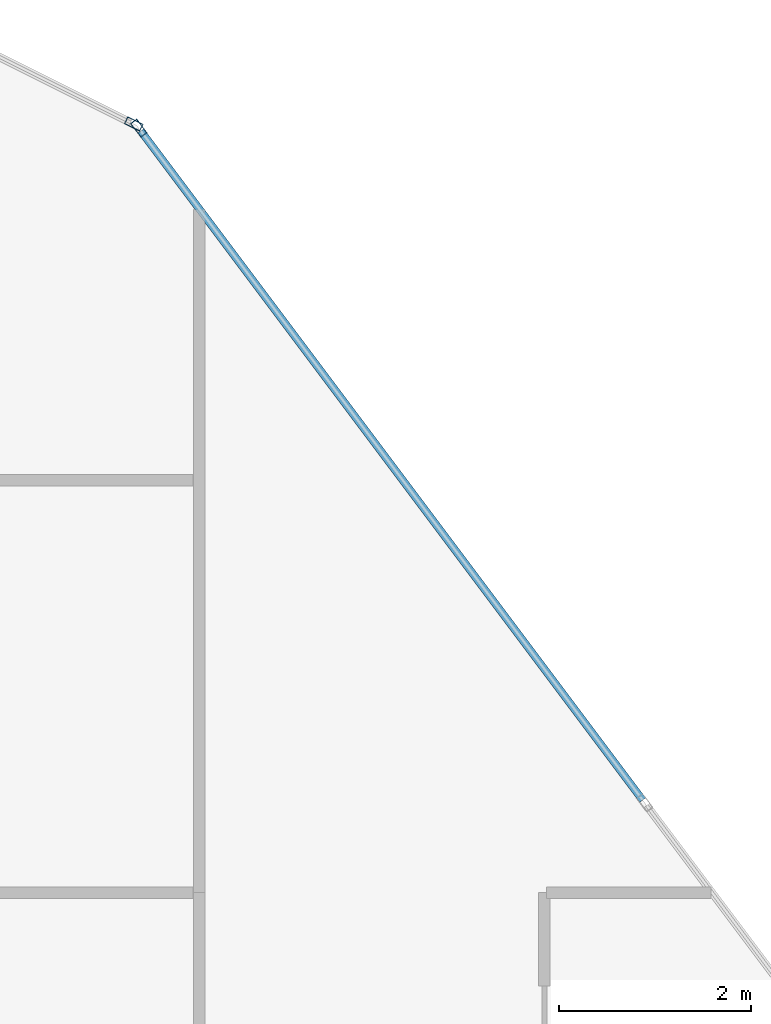
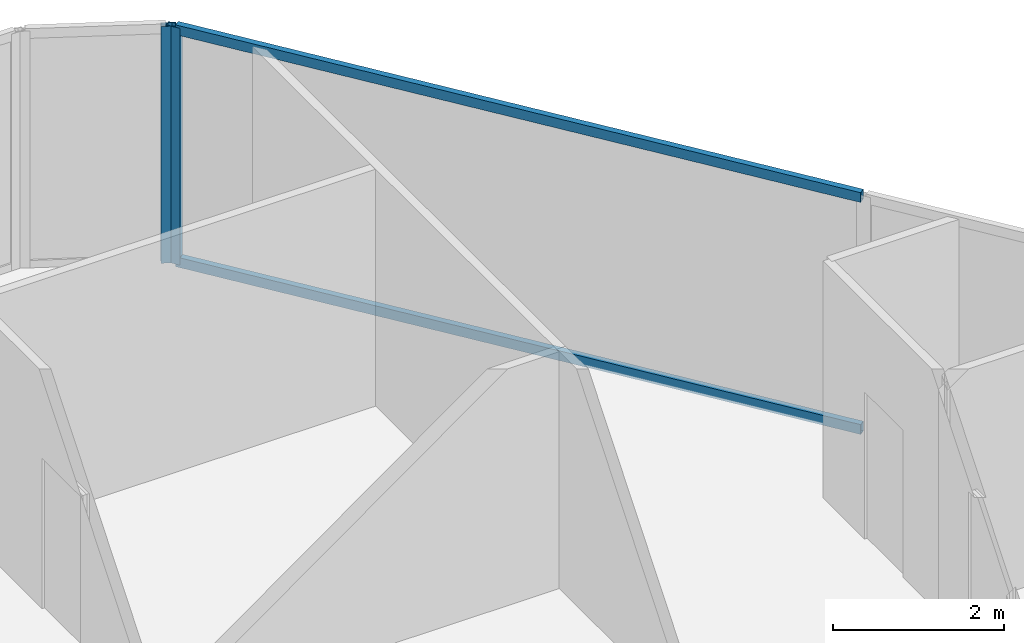
# One storey, part 21 of 30: 4 members, 2 elements without a shape of their own.
"""IFC4 building model written with IfcOpenShell, lengths in metres."""

from ifc_helpers import new_model, si_unit, direction, frame, origin, origin_2d, place, context, subcontext, project, spatial, hollow_rectangle, extrude, material, layer, layer_set, material_profile, profile_set, type_object, element, aggregate, save


model = new_model("IFC4")

# Units and contexts
model_context = context("Model", 3, precision=1e-05, world=origin(), true_north=direction((0.0, 1.0)))
body_context = subcontext(model_context, "Body", "Model", "MODEL_VIEW")
ifc_project = project(units=[si_unit("LENGTHUNIT", "METRE"), si_unit("AREAUNIT", "SQUARE_METRE"), si_unit("VOLUMEUNIT", "CUBIC_METRE"), si_unit("PLANEANGLEUNIT", "RADIAN"), si_unit("MASSUNIT", "GRAM", prefix="KILO")], contexts=[model_context])

# Site, building, storey
site_placement = place(None, origin())
site = spatial("IfcSite", under=ifc_project, at=site_placement, CompositionType="ELEMENT")
building_placement = place(site_placement, origin())
building = spatial("IfcBuilding", under=site, at=building_placement, Name="Keshet Zoharim Tower", CompositionType="ELEMENT")
storey_placement = place(building_placement, frame((0.0, 0.0, 113.10009765625)))
storey = spatial("IfcBuildingStorey", under=building, at=storey_placement, Name="L27", CompositionType="ELEMENT", Elevation=113.10009765625)

# Curtain wall, member
ifc_material = material(Name="Aluminium 6063-T6", Category="aluminium")
ifc_layer = layer(ifc_material, 0.159912109375)
ifc_layer_set = layer_set([ifc_layer], Name="Aluminium 6063-T6")
curtain_wall_type = type_object("IfcCurtainWallType", Name="CW-SYS-03", PredefinedType="NOTDEFINED", material=ifc_layer_set)
curtain_wall_1_placement = place(storey_placement, origin())
curtain_wall_1 = element("IfcCurtainWall", 1, at=curtain_wall_1_placement, inside=storey, type_object=curtain_wall_type, Name="L27 Unitised Curtain Wall 14", PredefinedType="NOTDEFINED")
ifc_material_profile_1 = material_profile(ifc_material, hollow_rectangle(XDim=0.080078125, YDim=0.179931640625, WallThickness=0.00439453125, at=origin_2d()), Name="MUL-80x180")
ifc_profile_set_1 = profile_set([ifc_material_profile_1], Name="Aluminium 6063-T6")
member_type_1 = type_object("IfcMemberType", Name="CWM-M18", PredefinedType="MULLION", material=ifc_profile_set_1)
member_1_placement = place(storey_placement, frame((51.568603515625, 53.11572265625, 0.0), z_axis=(0.0, 0.0, 1.0), x_axis=(0.447213595499, 0.894427191001, 0.0)))
member_1 = element("IfcMember", 2, at=member_1_placement, type_object=member_type_1, Name="CW-03 mullion 2", PredefinedType="MULLION", context=body_context, shape_type="SweptSolid", body=[
    extrude(hollow_rectangle(XDim=0.080078125, YDim=0.179931640625, WallThickness=0.00439453125, at=origin_2d()), origin(), (0.0, 0.0, 1.0), 3.385009765625),
])
aggregate(curtain_wall_1, [member_1])

# Curtain wall, members
curtain_wall_2_placement = place(storey_placement, origin())
curtain_wall_2 = element("IfcCurtainWall", 3, at=curtain_wall_2_placement, inside=storey, type_object=curtain_wall_type, Name="L27 Unitised Curtain Wall 15", PredefinedType="NOTDEFINED")
member_2_placement = place(storey_placement, frame((51.62109375, 53.072021484375, 0.0), z_axis=(0.0, 0.0, 1.0), x_axis=(0.799999999998, 0.600000000002, 0.0)))
member_2 = element("IfcMember", 4, at=member_2_placement, type_object=member_type_1, Name="CW-03 mullion 1", PredefinedType="MULLION", context=body_context, shape_type="SweptSolid", body=[
    extrude(hollow_rectangle(XDim=0.080078125, YDim=0.179931640625, WallThickness=0.00439453125, at=origin_2d()), origin(), (0.0, 0.0, 1.0), 3.385009765625),
])
ifc_material_profile_2 = material_profile(ifc_material, hollow_rectangle(XDim=0.080078125, YDim=0.139892578125, WallThickness=0.00390625, at=origin_2d()), Name="TRN-80x140")
ifc_profile_set_2 = profile_set([ifc_material_profile_2], Name="Aluminium 6063-T6")
member_type_2 = type_object("IfcMemberType", Name="CWT-T14", PredefinedType="USERDEFINED", material=ifc_profile_set_2)
member_3_placement = place(storey_placement, frame((51.64208984375, 53.0439453125, 0.034912109375), z_axis=(0.599991043201, -0.800006717521, 0.0), x_axis=(0.800006717521, 0.599991043201, 0.0)))
member_3 = element("IfcMember", 5, at=member_3_placement, type_object=member_type_2, Name="CW-03 transom 1.1", ObjectType="TRANSOM", PredefinedType="USERDEFINED", context=body_context, shape_type="SweptSolid", body=[
    extrude(hollow_rectangle(XDim=0.080078125, YDim=0.139892578125, WallThickness=0.00390625, at=origin_2d()), origin(), (0.0, 0.0, 1.0), 8.722412109375),
])
member_4_placement = place(storey_placement, frame((51.64208984375, 53.0439453125, 3.349853515625), z_axis=(0.599991043201, -0.800006717521, 0.0), x_axis=(0.800006717521, 0.599991043201, 0.0)))
member_4 = element("IfcMember", 6, at=member_4_placement, type_object=member_type_2, Name="CW-03 transom 1.2", ObjectType="TRANSOM", PredefinedType="USERDEFINED", context=body_context, shape_type="SweptSolid", body=[
    extrude(hollow_rectangle(XDim=0.080078125, YDim=0.139892578125, WallThickness=0.00390625, at=origin_2d()), origin(), (0.0, 0.0, 1.0), 8.722412109375),
])
aggregate(curtain_wall_2, [member_2, member_3, member_4])

save(model, "model.ifc")
